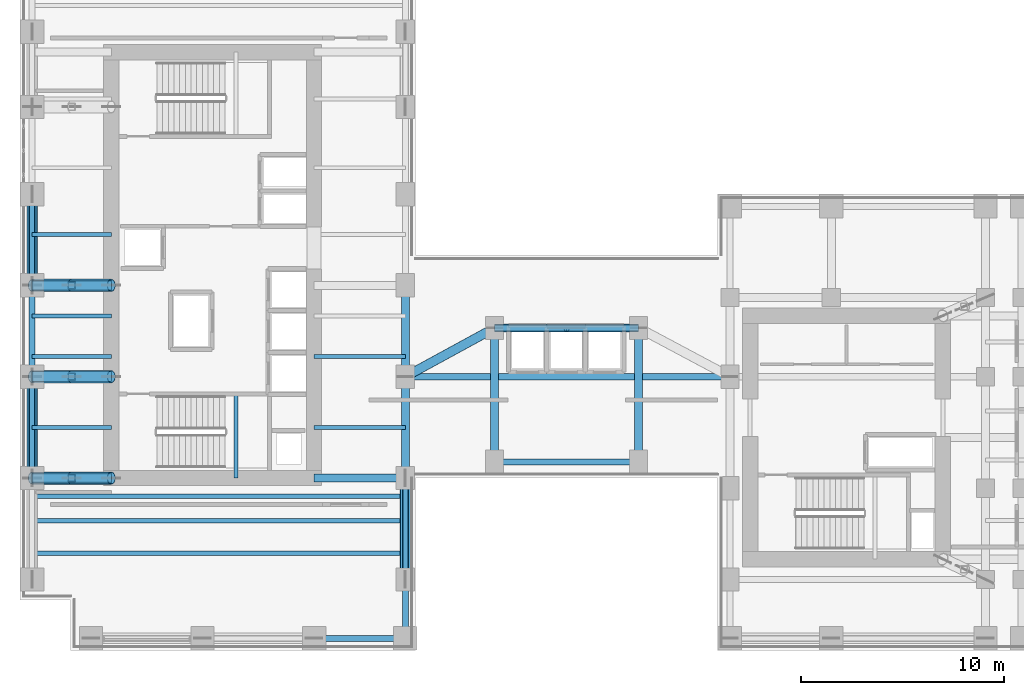
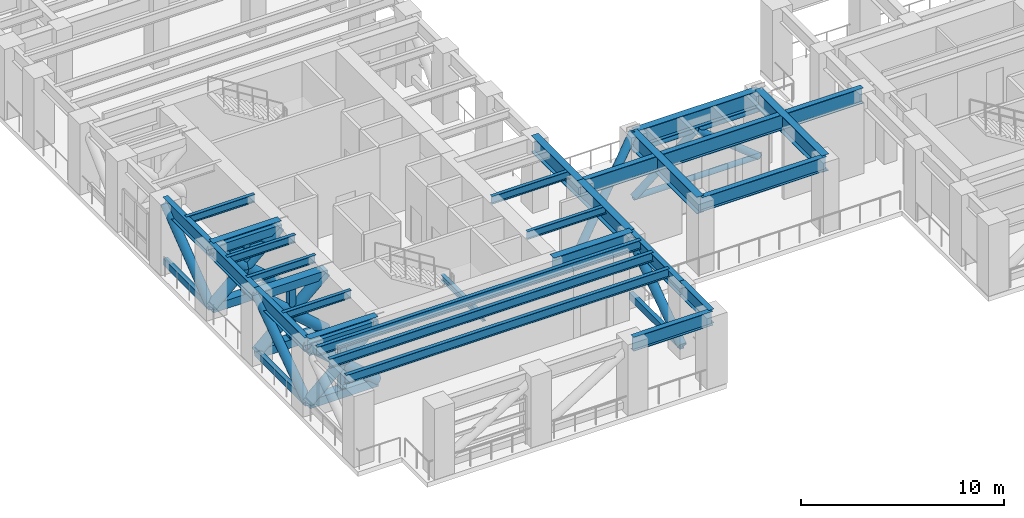
# One storey, part 3 of 16: 29 members, 26 beams.
"""IFC4 building model written with IfcOpenShell, lengths in metres."""

from ifc_helpers import new_model, si_unit, direction, frame, origin, origin_2d, place, context, subcontext, project, spatial, hollow_rectangle, hollow_circle, i_section, extrude, source, transform, mapped, material, material_profile, profile_set, type_object, element, save


model = new_model("IFC4")

# Units and contexts
model_context = context("Model", 3, precision=1e-05, world=origin(), true_north=direction((0.0, 1.0)))
body_context = subcontext(model_context, "Body", "Model", "MODEL_VIEW")
ifc_project = project(units=[si_unit("LENGTHUNIT", "METRE"), si_unit("AREAUNIT", "SQUARE_METRE"), si_unit("VOLUMEUNIT", "CUBIC_METRE"), si_unit("PLANEANGLEUNIT", "RADIAN"), si_unit("MASSUNIT", "GRAM", prefix="KILO")], contexts=[model_context])

# Site, building, storey
site_placement = place(None, origin())
site = spatial("IfcSite", under=ifc_project, at=site_placement, CompositionType="ELEMENT")
building_placement = place(site_placement, origin())
building = spatial("IfcBuilding", under=site, at=building_placement, Name="Kharzan Plaza Tower", CompositionType="ELEMENT")
storey_placement = place(building_placement, frame((0.0, 0.0, 138.60009765625)))
storey = spatial("IfcBuildingStorey", under=building, at=storey_placement, Name="L37", CompositionType="ELEMENT", Elevation=138.60009765625)

# Beams
ifc_material = material(Name="Steel S355", Category="steel")
ifc_material_profile_1 = material_profile(ifc_material, i_section(OverallWidth=0.205078125, OverallDepth=0.35400390625, WebThickness=0.009521484375, FlangeThickness=0.016845703125, at=origin_2d()), Name="W360x79")
ifc_profile_set_1 = profile_set([ifc_material_profile_1], Name="Steel S355")
beam_type_1 = type_object("IfcBeamType", Name="BM-LNT360", PredefinedType="LINTEL", material=ifc_profile_set_1)
shared_shape_1 = source(origin(), body_context, "Body", "SweptSolid", [
    extrude(i_section(OverallWidth=0.205078125, OverallDepth=0.35400390625, WebThickness=0.009521484375, FlangeThickness=0.016845703125, at=origin_2d()), origin(), (0.0, 0.0, 1.0), 4.155029296875),
])
beam_1_placement = place(storey_placement, frame((10.64990234375, 8.5, 1.872802734375), z_axis=(0.0, 1.0, 0.0), x_axis=(-1.0, 0.0, 0.0)))
element("IfcBeam", 1, at=beam_1_placement, inside=storey, type_object=beam_type_1, Name="L37 Stair ST-1 Half-Landing Beam", PredefinedType="LINTEL", context=body_context, shape_type="MappedRepresentation", body=[
    mapped(shared_shape_1, transform((0.0, 0.0, 0.0), x_axis=(1.0, 0.0, 0.0), y_axis=(0.0, 1.0, 0.0), z_axis=(0.0, 0.0, 1.0))),
])
ifc_material_profile_2 = material_profile(ifc_material, i_section(OverallWidth=0.304931640625, OverallDepth=0.9189453125, WebThickness=0.017333984375, FlangeThickness=0.02783203125, at=origin_2d()), Name="W920x253")
ifc_profile_set_2 = profile_set([ifc_material_profile_2], Name="Steel S355")
beam_type_2 = type_object("IfcBeamType", Name="BM-FG920B", PredefinedType="BEAM", material=ifc_profile_set_2)
shared_shape_2 = source(origin(), body_context, "Body", "SweptSolid", [
    extrude(i_section(OverallWidth=0.304931640625, OverallDepth=0.9189453125, WebThickness=0.017333984375, FlangeThickness=0.02783203125, at=origin_2d()), origin(), (0.0, 0.0, 1.0), 16.0),
])
beam_2_placement = place(storey_placement, frame((19.0, 13.5, 3.80029296875), z_axis=(1.0, 0.0, 0.0), x_axis=(0.0, 1.0, 0.0)))
element("IfcBeam", 2, at=beam_2_placement, inside=storey, type_object=beam_type_2, Name="L37 Primary Floor Girder", PredefinedType="BEAM", context=body_context, shape_type="MappedRepresentation", body=[
    mapped(shared_shape_2, transform((0.0, 0.0, 0.0), x_axis=(1.0, 0.0, 0.0), y_axis=(0.0, 1.0, 0.0), z_axis=(0.0, 0.0, 1.0))),
])
ifc_material_profile_3 = material_profile(ifc_material, i_section(OverallWidth=0.2099609375, OverallDepth=0.537109375, WebThickness=0.010986328125, FlangeThickness=0.017333984375, at=origin_2d()), Name="W530x101")
ifc_profile_set_3 = profile_set([ifc_material_profile_3], Name="Steel S355")
beam_type_3 = type_object("IfcBeamType", Name="BM-JST530B", PredefinedType="JOIST", material=ifc_profile_set_3)
shared_shape_3 = source(origin(), body_context, "Body", "SweptSolid", [
    extrude(i_section(OverallWidth=0.2099609375, OverallDepth=0.537109375, WebThickness=0.010986328125, FlangeThickness=0.017333984375, at=origin_2d()), origin(), (0.0, 0.0, 1.0), 18.39990234375),
])
for number, where, z_axis, x_axis, name in (
    (3, (0.60009765625, 4.800048828125, 3.991455078125), (1.0, 0.0, 0.0), (0.0, 1.0, 0.0), "L37 Wing A Composite Joist 01"),
    (4, (0.60009765625, 6.39990234375, 3.991455078125), (1.0, 0.0, 0.0), (0.0, 1.0, 0.0), "L37 Wing A Composite Joist 02"),
    (5, (0.60009765625, 7.60009765625, 3.991455078125), (1.0, 0.0, 0.0), (0.0, 1.0, 0.0), "L37 Wing A Composite Joist 03"),
):
    element("IfcBeam", number, at=place(storey_placement, frame(where, z_axis=z_axis, x_axis=x_axis)), inside=storey, type_object=beam_type_3, Name=name, PredefinedType="JOIST", context=body_context, shape_type="MappedRepresentation", body=[
        mapped(shared_shape_3, transform((0.0, 0.0, 0.0), x_axis=(1.0, 0.0, 0.0), y_axis=(0.0, 1.0, 0.0), z_axis=(0.0, 0.0, 1.0))),
    ])
ifc_material_profile_4 = material_profile(ifc_material, i_section(OverallWidth=0.194091796875, OverallDepth=0.468994140625, WebThickness=0.011474609375, FlangeThickness=0.0205078125, at=origin_2d()), Name="W460x106")
ifc_profile_set_4 = profile_set([ifc_material_profile_4], Name="Steel S355")
beam_type_4 = type_object("IfcBeamType", Name="BM-JST460", PredefinedType="JOIST", material=ifc_profile_set_4)
shared_shape_4 = source(origin(), body_context, "Body", "SweptSolid", [
    extrude(i_section(OverallWidth=0.194091796875, OverallDepth=0.468994140625, WebThickness=0.011474609375, FlangeThickness=0.0205078125, at=origin_2d()), origin(), (0.0, 0.0, 1.0), 4.5),
])
for number, where, z_axis, x_axis, name in (
    (6, (14.5, 11.0, 4.025390625), (1.0, 0.0, 0.0), (0.0, 1.0, 0.0), "L37 Wing A East Infill Joist 1"),
    (7, (14.5, 14.5, 4.025390625), (1.0, 0.0, 0.0), (0.0, 1.0, 0.0), "L37 Wing A East Infill Joist 2"),
):
    element("IfcBeam", number, at=place(storey_placement, frame(where, z_axis=z_axis, x_axis=x_axis)), inside=storey, type_object=beam_type_4, Name=name, PredefinedType="JOIST", context=body_context, shape_type="MappedRepresentation", body=[
        mapped(shared_shape_4, transform((0.0, 0.0, 0.0), x_axis=(1.0, 0.0, 0.0), y_axis=(0.0, 1.0, 0.0), z_axis=(0.0, 0.0, 1.0))),
    ])
shared_shape_5 = source(origin(), body_context, "Body", "SweptSolid", [
    extrude(i_section(OverallWidth=0.194091796875, OverallDepth=0.468994140625, WebThickness=0.011474609375, FlangeThickness=0.0205078125, at=origin_2d()), origin(), (0.0, 0.0, 1.0), 3.89990234375),
])
for number, where, z_axis, x_axis, name in (
    (8, (0.60009765625, 11.0, 4.025390625), (1.0, 0.0, 0.0), (0.0, 1.0, 0.0), "L37 Wing A West Infill Joist 1"),
    (9, (0.60009765625, 14.5, 4.025390625), (1.0, 0.0, 0.0), (0.0, 1.0, 0.0), "L37 Wing A West Infill Joist 2"),
    (10, (0.60009765625, 16.5, 4.025390625), (1.0, 0.0, 0.0), (0.0, 1.0, 0.0), "L37 Wing A West Infill Joist 3"),
    (11, (0.60009765625, 20.5, 4.025390625), (1.0, 0.0, 0.0), (0.0, 1.0, 0.0), "L37 Wing A West Infill Joist 4"),
):
    element("IfcBeam", number, at=place(storey_placement, frame(where, z_axis=z_axis, x_axis=x_axis)), inside=storey, type_object=beam_type_4, Name=name, PredefinedType="JOIST", context=body_context, shape_type="MappedRepresentation", body=[
        mapped(shared_shape_5, transform((0.0, 0.0, 0.0), x_axis=(1.0, 0.0, 0.0), y_axis=(0.0, 1.0, 0.0), z_axis=(0.0, 0.0, 1.0))),
    ])
ifc_material_profile_5 = material_profile(ifc_material, i_section(OverallWidth=0.39794921875, OverallDepth=1.0, WebThickness=0.017578125, FlangeThickness=0.02880859375, at=origin_2d()), Name="W1000x321")
ifc_profile_set_5 = profile_set([ifc_material_profile_5], Name="Steel S355")
beam_type_5 = type_object("IfcBeamType", Name="BM-PG1000B", PredefinedType="BEAM", material=ifc_profile_set_5)
shared_shape_6 = source(origin(), body_context, "Body", "SweptSolid", [
    extrude(i_section(OverallWidth=0.39794921875, OverallDepth=1.0, WebThickness=0.017578125, FlangeThickness=0.02880859375, at=origin_2d()), origin(), (0.0, 0.0, 1.0), 4.5),
])
for number, where, z_axis, x_axis, name in (
    (12, (14.5, 8.5, 3.760009765625), (1.0, 0.0, 0.0), (0.0, 1.0, 0.0), "L37 Core-A East Floor Girder 1"),
    (13, (19.0, 13.5, 3.760009765625), (0.0, 1.0, 0.0), (-1.0, 0.0, 0.0), "L37 Interior Frame Girder"),
):
    element("IfcBeam", number, at=place(storey_placement, frame(where, z_axis=z_axis, x_axis=x_axis)), inside=storey, type_object=beam_type_5, Name=name, PredefinedType="BEAM", context=body_context, shape_type="MappedRepresentation", body=[
        mapped(shared_shape_6, transform((0.0, 0.0, 0.0), x_axis=(1.0, 0.0, 0.0), y_axis=(0.0, 1.0, 0.0), z_axis=(0.0, 0.0, 1.0))),
    ])
shared_shape_7 = source(origin(), body_context, "Body", "SweptSolid", [
    extrude(i_section(OverallWidth=0.39794921875, OverallDepth=1.0, WebThickness=0.017578125, FlangeThickness=0.02880859375, at=origin_2d()), origin(), (0.0, 0.0, 1.0), 3.89990234375),
])
for number, where, z_axis, x_axis, name in (
    (14, (0.60009765625, 8.5, 3.760009765625), (1.0, 0.0, 0.0), (0.0, 1.0, 0.0), "L37 Core-A West Floor Girder 1"),
    (15, (0.60009765625, 18.0, 3.760009765625), (1.0, 0.0, 0.0), (0.0, 1.0, 0.0), "L37 Core-A West Floor Girder 2"),
):
    element("IfcBeam", number, at=place(storey_placement, frame(where, z_axis=z_axis, x_axis=x_axis)), inside=storey, type_object=beam_type_5, Name=name, PredefinedType="BEAM", context=body_context, shape_type="MappedRepresentation", body=[
        mapped(shared_shape_7, transform((0.0, 0.0, 0.0), x_axis=(1.0, 0.0, 0.0), y_axis=(0.0, 1.0, 0.0), z_axis=(0.0, 0.0, 1.0))),
    ])
shared_shape_8 = source(origin(), body_context, "Body", "SweptSolid", [
    extrude(i_section(OverallWidth=0.39794921875, OverallDepth=1.0, WebThickness=0.017578125, FlangeThickness=0.02880859375, at=origin_2d()), origin(), (0.0, 0.0, 1.0), 5.0),
])
beam_3_placement = place(storey_placement, frame((19.0, 8.5, 3.760009765625), z_axis=(0.0, 1.0, 0.0), x_axis=(-1.0, 0.0, 0.0)))
element("IfcBeam", 16, at=beam_3_placement, inside=storey, type_object=beam_type_5, Name="L37 Interior Frame Girder", PredefinedType="BEAM", context=body_context, shape_type="MappedRepresentation", body=[
    mapped(shared_shape_8, transform((0.0, 0.0, 0.0), x_axis=(1.0, 0.0, 0.0), y_axis=(0.0, 1.0, 0.0), z_axis=(0.0, 0.0, 1.0))),
])
shared_shape_9 = source(origin(), body_context, "Body", "SweptSolid", [
    extrude(i_section(OverallWidth=0.39794921875, OverallDepth=1.0, WebThickness=0.017578125, FlangeThickness=0.02880859375, at=origin_2d()), origin(), (0.0, 0.0, 1.0), 6.599853515625),
])
for number, where, z_axis, x_axis, name in (
    (17, (23.39990234375, 9.300048828125, 3.760009765625), (0.0, 1.0, 0.0), (-1.0, 0.0, 0.0), "L37 Interior Frame Girder"),
    (18, (30.5, 9.300048828125, 3.760009765625), (0.0, 1.0, 0.0), (-1.0, 0.0, 0.0), "L37 Interior Frame Girder"),
):
    element("IfcBeam", number, at=place(storey_placement, frame(where, z_axis=z_axis, x_axis=x_axis)), inside=storey, type_object=beam_type_5, Name=name, PredefinedType="BEAM", context=body_context, shape_type="MappedRepresentation", body=[
        mapped(shared_shape_9, transform((0.0, 0.0, 0.0), x_axis=(1.0, 0.0, 0.0), y_axis=(0.0, 1.0, 0.0), z_axis=(0.0, 0.0, 1.0))),
    ])
shared_shape_10 = source(origin(), body_context, "Body", "SweptSolid", [
    extrude(i_section(OverallWidth=0.39794921875, OverallDepth=1.0, WebThickness=0.017578125, FlangeThickness=0.02880859375, at=origin_2d()), origin(), (0.0, 0.0, 1.0), 7.10009765625),
])
beam_4_placement = place(storey_placement, frame((23.39990234375, 15.89990234375, 3.760009765625), z_axis=(1.0, 0.0, 0.0), x_axis=(0.0, 1.0, 0.0)))
element("IfcBeam", 19, at=beam_4_placement, inside=storey, type_object=beam_type_5, Name="L37 Primary Floor Girder", PredefinedType="BEAM", context=body_context, shape_type="MappedRepresentation", body=[
    mapped(shared_shape_10, transform((0.0, 0.0, 0.0), x_axis=(1.0, 0.0, 0.0), y_axis=(0.0, 1.0, 0.0), z_axis=(0.0, 0.0, 1.0))),
])

# Members
ifc_material_profile_6 = material_profile(ifc_material, hollow_rectangle(XDim=0.25, YDim=0.39990234375, WallThickness=0.01611328125, at=origin_2d()), Name="RHS400x250x16")
ifc_profile_set_6 = profile_set([ifc_material_profile_6], Name="Steel S355")
member_type_1 = type_object("IfcMemberType", Name="MEM-BT-CHORD", PredefinedType="CHORD", material=ifc_profile_set_6)
shared_shape_11 = source(origin(), body_context, "Body", "SweptSolid", [
    extrude(hollow_rectangle(XDim=0.25, YDim=0.39990234375, WallThickness=0.01611328125, at=origin_2d()), origin(), (0.0, 0.0, 1.0), 5.0),
])
for number, where, z_axis, x_axis, name in (
    (20, (19.0, 3.5, 0.349853515625), (0.0, 1.0, 0.0), (-1.0, 0.0, 0.0), "L37 Belt Truss Bottom Chord BTA-1"),
    (21, (0.60009765625, 8.5, 0.349853515625), (0.0, 1.0, 0.0), (-1.0, 0.0, 0.0), "L37 Belt Truss Bottom Chord BTW-2"),
):
    element("IfcMember", number, at=place(storey_placement, frame(where, z_axis=z_axis, x_axis=x_axis)), inside=storey, type_object=member_type_1, Name=name, PredefinedType="CHORD", context=body_context, shape_type="MappedRepresentation", body=[
        mapped(shared_shape_11, transform((0.0, 0.0, 0.0), x_axis=(1.0, 0.0, 0.0), y_axis=(0.0, 1.0, 0.0), z_axis=(0.0, 0.0, 1.0))),
    ])
shared_shape_12 = source(origin(), body_context, "Body", "SweptSolid", [
    extrude(hollow_rectangle(XDim=0.25, YDim=0.39990234375, WallThickness=0.01611328125, at=origin_2d()), origin(), (0.0, 0.0, 1.0), 4.5),
])
member_1_placement = place(storey_placement, frame((0.60009765625, 18.0, 0.349853515625), z_axis=(0.0, 1.0, 0.0), x_axis=(-1.0, 0.0, 0.0)))
element("IfcMember", 22, at=member_1_placement, inside=storey, type_object=member_type_1, Name="L37 Belt Truss Bottom Chord BTW-3", PredefinedType="CHORD", context=body_context, shape_type="MappedRepresentation", body=[
    mapped(shared_shape_12, transform((0.0, 0.0, 0.0), x_axis=(1.0, 0.0, 0.0), y_axis=(0.0, 1.0, 0.0), z_axis=(0.0, 0.0, 1.0))),
])
ifc_material_profile_7 = material_profile(ifc_material, hollow_circle(Radius=0.25390625, WallThickness=0.02001953125, at=origin_2d()), Name="CHS508x20")
ifc_profile_set_7 = profile_set([ifc_material_profile_7], Name="Steel S355")
member_type_2 = type_object("IfcMemberType", Name="MEM-BT-DIAG", PredefinedType="BRACE", material=ifc_profile_set_7)
shared_shape_13 = source(origin(), body_context, "Body", "SweptSolid", [
    extrude(hollow_circle(Radius=0.25390625, WallThickness=0.02001953125, at=origin_2d()), origin(), (0.0, 0.0, 1.0), 6.080322265625),
])
for number, where, z_axis, x_axis, name in (
    (23, (19.0, 3.5, 0.349853515625), (0.0, 0.822313592679, 0.569034581809), (-1.0, 0.0, 0.0), "L37 Belt Truss Diagonal BTA-1"),
    (24, (0.60009765625, 8.5, 0.349853515625), (0.0, 0.822313592679, 0.569034581809), (-1.0, 0.0, 0.0), "L37 Belt Truss Diagonal BTW-2"),
):
    element("IfcMember", number, at=place(storey_placement, frame(where, z_axis=z_axis, x_axis=x_axis)), inside=storey, type_object=member_type_2, Name=name, PredefinedType="BRACE", context=body_context, shape_type="MappedRepresentation", body=[
        mapped(shared_shape_13, transform((0.0, 0.0, 0.0), x_axis=(1.0, 0.0, 0.0), y_axis=(0.0, 1.0, 0.0), z_axis=(0.0, 0.0, 1.0))),
    ])
shared_shape_14 = source(origin(), body_context, "Body", "SweptSolid", [
    extrude(hollow_circle(Radius=0.25390625, WallThickness=0.02001953125, at=origin_2d()), origin(), (0.0, 0.0, 1.0), 5.67626953125),
])
member_2_placement = place(storey_placement, frame((0.60009765625, 18.0, 0.349853515625), z_axis=(0.0, 0.792758275848, 0.609536148292), x_axis=(-1.0, 0.0, 0.0)))
element("IfcMember", 25, at=member_2_placement, inside=storey, type_object=member_type_2, Name="L37 Belt Truss Diagonal BTW-3", PredefinedType="BRACE", context=body_context, shape_type="MappedRepresentation", body=[
    mapped(shared_shape_14, transform((0.0, 0.0, 0.0), x_axis=(1.0, 0.0, 0.0), y_axis=(0.0, 1.0, 0.0), z_axis=(0.0, 0.0, 1.0))),
])
ifc_material_profile_8 = material_profile(ifc_material, hollow_rectangle(XDim=0.5, YDim=0.5, WallThickness=0.02490234375, at=origin_2d()), Name="SHS500x500x25")
ifc_profile_set_8 = profile_set([ifc_material_profile_8], Name="Steel S355")
member_type_3 = type_object("IfcMemberType", Name="MEM-OT-CHORD", PredefinedType="CHORD", material=ifc_profile_set_8)
shared_shape_15 = source(origin(), body_context, "Body", "SweptSolid", [
    extrude(hollow_rectangle(XDim=0.5, YDim=0.5, WallThickness=0.02490234375, at=origin_2d()), origin(), (0.0, 0.0, 1.0), 3.89990234375),
])
for number, where, z_axis, x_axis, name in (
    (26, (4.5, 18.0, 0.349853515625), (-1.0, 0.0, 0.0), (0.0, -1.0, 0.0), "L37 Outrigger Truss Bottom Chord OTA-E1"),
    (27, (4.5, 18.0, 3.809814453125), (-1.0, 0.0, 0.0), (0.0, -1.0, 0.0), "L37 Outrigger Truss Top Chord OTA-E1"),
    (28, (4.5, 8.5, 0.349853515625), (-1.0, 0.0, 0.0), (0.0, -1.0, 0.0), "L37 Outrigger Truss Bottom Chord OTA-W1"),
    (29, (4.5, 8.5, 3.809814453125), (-1.0, 0.0, 0.0), (0.0, -1.0, 0.0), "L37 Outrigger Truss Top Chord OTA-W1"),
    (30, (4.5, 13.5, 0.349853515625), (-1.0, 0.0, 0.0), (0.0, -1.0, 0.0), "L37 Outrigger Truss Bottom Chord OTA-W2"),
    (31, (4.5, 13.5, 3.809814453125), (-1.0, 0.0, 0.0), (0.0, -1.0, 0.0), "L37 Outrigger Truss Top Chord OTA-W2"),
):
    element("IfcMember", number, at=place(storey_placement, frame(where, z_axis=z_axis, x_axis=x_axis)), inside=storey, type_object=member_type_3, Name=name, PredefinedType="CHORD", context=body_context, shape_type="MappedRepresentation", body=[
        mapped(shared_shape_15, transform((0.0, 0.0, 0.0), x_axis=(1.0, 0.0, 0.0), y_axis=(0.0, 1.0, 0.0), z_axis=(0.0, 0.0, 1.0))),
    ])
ifc_material_profile_9 = material_profile(ifc_material, hollow_circle(Radius=0.304931640625, WallThickness=0.02490234375, at=origin_2d()), Name="CHS610x25")
ifc_profile_set_9 = profile_set([ifc_material_profile_9], Name="Steel S355")
member_type_4 = type_object("IfcMemberType", Name="MEM-OT-DIAG", PredefinedType="BRACE", material=ifc_profile_set_9)
shared_shape_16 = source(origin(), body_context, "Body", "SweptSolid", [
    extrude(hollow_circle(Radius=0.304931640625, WallThickness=0.02490234375, at=origin_2d()), origin(), (0.0, 0.0, 1.0), 5.21337890625),
])
for number, where, z_axis, x_axis, name in (
    (32, (4.5, 18.0, 0.349853515625), (-0.748039391484, 0.0, 0.663654329292), (0.0, -1.0, 0.0), "L37 Outrigger Truss Diagonal OTA-E1-1"),
    (33, (4.5, 8.5, 0.349853515625), (-0.748039391484, 0.0, 0.663654329292), (0.0, -1.0, 0.0), "L37 Outrigger Truss Diagonal OTA-W1-1"),
    (34, (4.5, 13.5, 0.349853515625), (-0.748039391484, 0.0, 0.663654329292), (0.0, -1.0, 0.0), "L37 Outrigger Truss Diagonal OTA-W2-1"),
):
    element("IfcMember", number, at=place(storey_placement, frame(where, z_axis=z_axis, x_axis=x_axis)), inside=storey, type_object=member_type_4, Name=name, PredefinedType="BRACE", context=body_context, shape_type="MappedRepresentation", body=[
        mapped(shared_shape_16, transform((0.0, 0.0, 0.0), x_axis=(1.0, 0.0, 0.0), y_axis=(0.0, 1.0, 0.0), z_axis=(0.0, 0.0, 1.0))),
    ])
shared_shape_17 = source(origin(), body_context, "Body", "SweptSolid", [
    extrude(hollow_circle(Radius=0.304931640625, WallThickness=0.02490234375, at=origin_2d()), origin(), (0.0, 0.0, 1.0), 2.606689453125),
])
for number, where, z_axis, x_axis, name in (
    (35, (4.5, 18.0, 3.809814453125), (-0.748039391484, 0.0, -0.663654329292), (0.0, -1.0, 0.0), "L37 Outrigger Truss Split Diagonal OTA-E1-2A"),
    (36, (2.550048828125, 18.0, 2.079833984375), (-0.748039391484, 0.0, -0.663654329292), (0.0, -1.0, 0.0), "L37 Outrigger Truss Split Diagonal OTA-E1-2B"),
    (37, (4.5, 8.5, 3.809814453125), (-0.748039391484, 0.0, -0.663654329292), (0.0, -1.0, 0.0), "L37 Outrigger Truss Split Diagonal OTA-W1-2A"),
    (38, (2.550048828125, 8.5, 2.079833984375), (-0.748039391484, 0.0, -0.663654329292), (0.0, -1.0, 0.0), "L37 Outrigger Truss Split Diagonal OTA-W1-2B"),
    (39, (4.5, 13.5, 3.809814453125), (-0.748039391484, 0.0, -0.663654329292), (0.0, -1.0, 0.0), "L37 Outrigger Truss Split Diagonal OTA-W2-2A"),
    (40, (2.550048828125, 13.5, 2.079833984375), (-0.748039391484, 0.0, -0.663654329292), (0.0, -1.0, 0.0), "L37 Outrigger Truss Split Diagonal OTA-W2-2B"),
):
    element("IfcMember", number, at=place(storey_placement, frame(where, z_axis=z_axis, x_axis=x_axis)), inside=storey, type_object=member_type_4, Name=name, PredefinedType="BRACE", context=body_context, shape_type="MappedRepresentation", body=[
        mapped(shared_shape_17, transform((0.0, 0.0, 0.0), x_axis=(1.0, 0.0, 0.0), y_axis=(0.0, 1.0, 0.0), z_axis=(0.0, 0.0, 1.0))),
    ])
ifc_material_profile_10 = material_profile(ifc_material, hollow_rectangle(XDim=0.35009765625, YDim=0.35009765625, WallThickness=0.01611328125, at=origin_2d()), Name="SHS350x350x16")
ifc_profile_set_10 = profile_set([ifc_material_profile_10], Name="Steel S355")
member_type_5 = type_object("IfcMemberType", Name="MEM-OT-POST", PredefinedType="POST", material=ifc_profile_set_10)
shared_shape_18 = source(origin(), body_context, "Body", "SweptSolid", [
    extrude(hollow_rectangle(XDim=0.35009765625, YDim=0.35009765625, WallThickness=0.01611328125, at=origin_2d()), origin(), (0.0, 0.0, 1.0), 3.4599609375),
])
for number, where, z_axis, x_axis, name in (
    (41, (2.550048828125, 18.0, 0.349853515625), (0.0, 0.0, 1.0), (1.0, 0.0, 0.0), "L37 Outrigger Truss Web Post OTA-E1"),
    (42, (2.550048828125, 8.5, 0.349853515625), (0.0, 0.0, 1.0), (1.0, 0.0, 0.0), "L37 Outrigger Truss Web Post OTA-W1"),
    (43, (2.550048828125, 13.5, 0.349853515625), (0.0, 0.0, 1.0), (1.0, 0.0, 0.0), "L37 Outrigger Truss Web Post OTA-W2"),
):
    element("IfcMember", number, at=place(storey_placement, frame(where, z_axis=z_axis, x_axis=x_axis)), inside=storey, type_object=member_type_5, Name=name, PredefinedType="POST", context=body_context, shape_type="MappedRepresentation", body=[
        mapped(shared_shape_18, transform((0.0, 0.0, 0.0), x_axis=(1.0, 0.0, 0.0), y_axis=(0.0, 1.0, 0.0), z_axis=(0.0, 0.0, 1.0))),
    ])
ifc_material_profile_11 = material_profile(ifc_material, hollow_circle(Radius=0.228515625, WallThickness=0.01611328125, at=origin_2d()), Name="CHS457x16")
ifc_profile_set_11 = profile_set([ifc_material_profile_11], Name="Steel S355")
member_type_6 = type_object("IfcMemberType", Name="MEM-WP-STRUT", PredefinedType="STRUT", material=ifc_profile_set_11)
shared_shape_19 = source(origin(), body_context, "Body", "SweptSolid", [
    extrude(hollow_circle(Radius=0.228515625, WallThickness=0.01611328125, at=origin_2d()), origin(), (0.0, 0.0, 1.0), 6.375),
])
member_3_placement = place(storey_placement, frame((19.0, 13.5, 0.199951171875), z_axis=(0.690170696355, 0.376449780556, 0.618021013083), x_axis=(-0.47884530469, 0.877899296147, 0.0)))
element("IfcMember", 44, at=member_3_placement, inside=storey, type_object=member_type_6, Name="L37 Wind Portal Frame V-Strut West", PredefinedType="STRUT", context=body_context, shape_type="MappedRepresentation", body=[
    mapped(shared_shape_19, transform((0.0, 0.0, 0.0), x_axis=(1.0, 0.0, 0.0), y_axis=(0.0, 1.0, 0.0), z_axis=(0.0, 0.0, 1.0))),
])

# Beams
ifc_material_profile_12 = material_profile(ifc_material, i_section(OverallWidth=0.299072265625, OverallDepth=0.845947265625, WebThickness=0.015380859375, FlangeThickness=0.0244140625, at=origin_2d()), Name="W840x210")
ifc_profile_set_12 = profile_set([ifc_material_profile_12], Name="Steel S355")
beam_type_6 = type_object("IfcBeamType", Name="BM-SP840B", PredefinedType="SPANDREL", material=ifc_profile_set_12)
shared_shape_20 = source(origin(), body_context, "Body", "SweptSolid", [
    extrude(i_section(OverallWidth=0.299072265625, OverallDepth=0.845947265625, WebThickness=0.015380859375, FlangeThickness=0.0244140625, at=origin_2d()), origin(), (0.0, 0.0, 1.0), 5.0),
])
for number, where, z_axis, x_axis, name in (
    (45, (0.60009765625, 8.5, 3.8369140625), (0.0, 1.0, 0.0), (-1.0, 0.0, 0.0), "L37 Perimeter Tube Spandrel"),
    (46, (19.0, 3.5, 3.8369140625), (0.0, 1.0, 0.0), (-1.0, 0.0, 0.0), "L37 Perimeter Tube Spandrel"),
):
    element("IfcBeam", number, at=place(storey_placement, frame(where, z_axis=z_axis, x_axis=x_axis)), inside=storey, type_object=beam_type_6, Name=name, PredefinedType="SPANDREL", context=body_context, shape_type="MappedRepresentation", body=[
        mapped(shared_shape_20, transform((0.0, 0.0, 0.0), x_axis=(1.0, 0.0, 0.0), y_axis=(0.0, 1.0, 0.0), z_axis=(0.0, 0.0, 1.0))),
    ])
shared_shape_21 = source(origin(), body_context, "Body", "SweptSolid", [
    extrude(i_section(OverallWidth=0.299072265625, OverallDepth=0.845947265625, WebThickness=0.015380859375, FlangeThickness=0.0244140625, at=origin_2d()), origin(), (0.0, 0.0, 1.0), 4.5),
])
for number, where, z_axis, x_axis, name in (
    (47, (0.60009765625, 13.5, 3.8369140625), (0.0, 1.0, 0.0), (-1.0, 0.0, 0.0), "L37 Perimeter Tube Spandrel"),
    (48, (0.60009765625, 18.0, 3.8369140625), (0.0, 1.0, 0.0), (-1.0, 0.0, 0.0), "L37 Perimeter Tube Spandrel"),
    (49, (14.5, 0.60009765625, 3.8369140625), (1.0, 0.0, 0.0), (0.0, 1.0, 0.0), "L37 Perimeter Tube Spandrel"),
):
    element("IfcBeam", number, at=place(storey_placement, frame(where, z_axis=z_axis, x_axis=x_axis)), inside=storey, type_object=beam_type_6, Name=name, PredefinedType="SPANDREL", context=body_context, shape_type="MappedRepresentation", body=[
        mapped(shared_shape_21, transform((0.0, 0.0, 0.0), x_axis=(1.0, 0.0, 0.0), y_axis=(0.0, 1.0, 0.0), z_axis=(0.0, 0.0, 1.0))),
    ])
shared_shape_22 = source(origin(), body_context, "Body", "SweptSolid", [
    extrude(i_section(OverallWidth=0.299072265625, OverallDepth=0.845947265625, WebThickness=0.015380859375, FlangeThickness=0.0244140625, at=origin_2d()), origin(), (0.0, 0.0, 1.0), 2.89990234375),
])
beam_5_placement = place(storey_placement, frame((19.0, 0.60009765625, 3.8369140625), z_axis=(0.0, 1.0, 0.0), x_axis=(-1.0, 0.0, 0.0)))
element("IfcBeam", 50, at=beam_5_placement, inside=storey, type_object=beam_type_6, Name="L37 Perimeter Tube Spandrel", PredefinedType="SPANDREL", context=body_context, shape_type="MappedRepresentation", body=[
    mapped(shared_shape_22, transform((0.0, 0.0, 0.0), x_axis=(1.0, 0.0, 0.0), y_axis=(0.0, 1.0, 0.0), z_axis=(0.0, 0.0, 1.0))),
])
shared_shape_23 = source(origin(), body_context, "Body", "SweptSolid", [
    extrude(i_section(OverallWidth=0.299072265625, OverallDepth=0.845947265625, WebThickness=0.015380859375, FlangeThickness=0.0244140625, at=origin_2d()), origin(), (0.0, 0.0, 1.0), 7.10009765625),
])
beam_6_placement = place(storey_placement, frame((23.39990234375, 9.300048828125, 3.8369140625), z_axis=(1.0, 0.0, 0.0), x_axis=(0.0, 1.0, 0.0)))
element("IfcBeam", 51, at=beam_6_placement, inside=storey, type_object=beam_type_6, Name="L37 Perimeter Tube Spandrel", PredefinedType="SPANDREL", context=body_context, shape_type="MappedRepresentation", body=[
    mapped(shared_shape_23, transform((0.0, 0.0, 0.0), x_axis=(1.0, 0.0, 0.0), y_axis=(0.0, 1.0, 0.0), z_axis=(0.0, 0.0, 1.0))),
])

# Members
ifc_material_profile_13 = material_profile(ifc_material, hollow_circle(Radius=0.162109375, WallThickness=0.012451171875, at=origin_2d()), Name="CHS324x12.5")
ifc_profile_set_13 = profile_set([ifc_material_profile_13], Name="Steel S355")
member_type_7 = type_object("IfcMemberType", Name="MEM-TS-RING", PredefinedType="BRACE", material=ifc_profile_set_13)
shared_shape_24 = source(origin(), body_context, "Body", "SweptSolid", [
    extrude(hollow_circle(Radius=0.162109375, WallThickness=0.012451171875, at=origin_2d()), origin(), (0.0, 0.0, 1.0), 7.10009765625),
])
for number, where, z_axis, x_axis, name in (
    (52, (23.39990234375, 15.89990234375, 0.199951171875), (1.0, 0.0, 0.0), (0.0, 1.0, 0.0), "L37 Wind Turbine Slot Bottom Chord"),
    (53, (23.39990234375, 15.89990234375, 3.039794921875), (1.0, 0.0, 0.0), (0.0, 1.0, 0.0), "L37 Wind Turbine Slot Top Chord"),
):
    element("IfcMember", number, at=place(storey_placement, frame(where, z_axis=z_axis, x_axis=x_axis)), inside=storey, type_object=member_type_7, Name=name, PredefinedType="BRACE", context=body_context, shape_type="MappedRepresentation", body=[
        mapped(shared_shape_24, transform((0.0, 0.0, 0.0), x_axis=(1.0, 0.0, 0.0), y_axis=(0.0, 1.0, 0.0), z_axis=(0.0, 0.0, 1.0))),
    ])
ifc_material_profile_14 = material_profile(ifc_material, hollow_circle(Radius=0.202880859375, WallThickness=0.01611328125, at=origin_2d()), Name="CHS406x16")
ifc_profile_set_14 = profile_set([ifc_material_profile_14], Name="Steel S355")
member_type_8 = type_object("IfcMemberType", Name="MEM-TS-STRUT", PredefinedType="STRUT", material=ifc_profile_set_14)
shared_shape_25 = source(origin(), body_context, "Body", "SweptSolid", [
    extrude(hollow_circle(Radius=0.202880859375, WallThickness=0.01611328125, at=origin_2d()), origin(), (0.0, 0.0, 1.0), 4.546142578125),
])
for number, where, z_axis, x_axis, name in (
    (54, (23.39990234375, 15.89990234375, 0.199951171875), (0.780889766123, 0.0, 0.624668850804), (0.0, 1.0, 0.0), "L37 Wind Turbine Slot Rotor Strut 1"),
    (55, (30.5, 15.89990234375, 0.199951171875), (-0.780889766123, 0.0, 0.624668850804), (0.0, -1.0, 0.0), "L37 Wind Turbine Slot Rotor Strut 2"),
):
    element("IfcMember", number, at=place(storey_placement, frame(where, z_axis=z_axis, x_axis=x_axis)), inside=storey, type_object=member_type_8, Name=name, PredefinedType="STRUT", context=body_context, shape_type="MappedRepresentation", body=[
        mapped(shared_shape_25, transform((0.0, 0.0, 0.0), x_axis=(1.0, 0.0, 0.0), y_axis=(0.0, 1.0, 0.0), z_axis=(0.0, 0.0, 1.0))),
    ])

save(model, "model.ifc")
